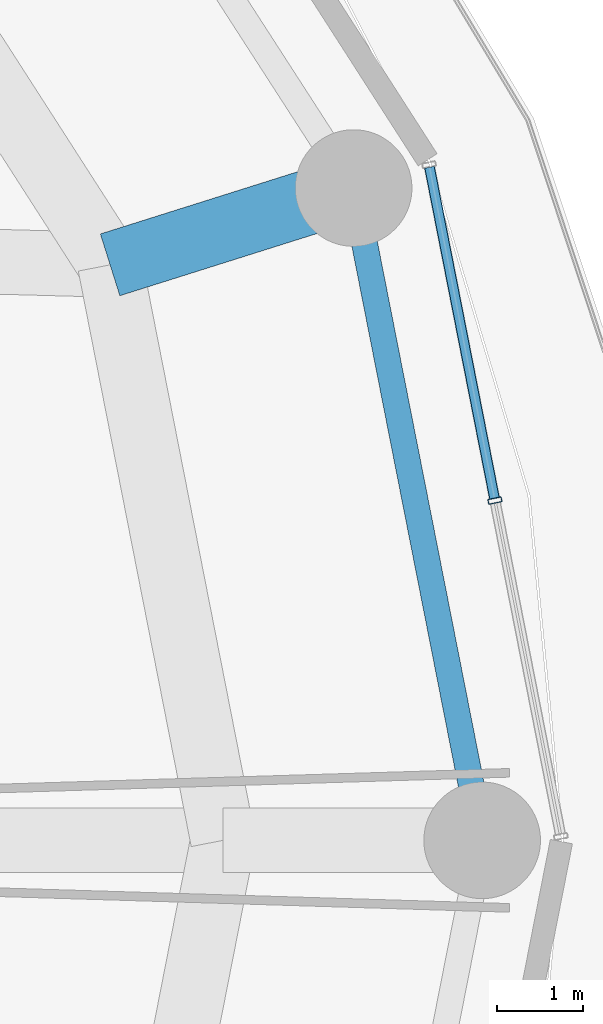
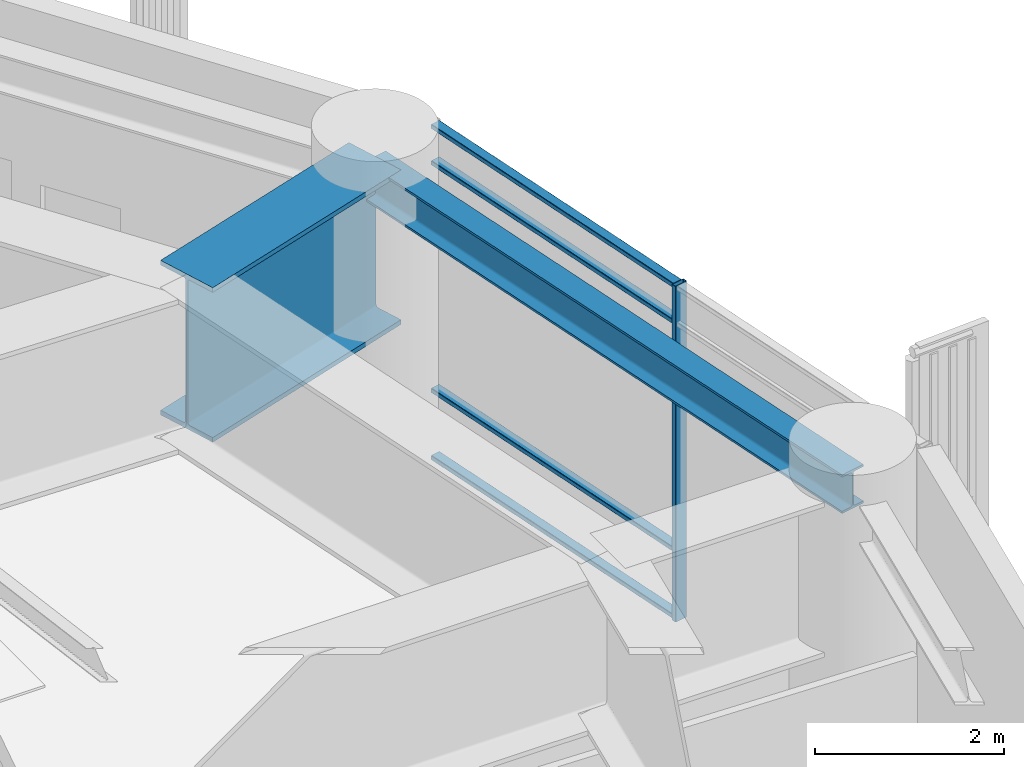
# One storey, part 15 of 34: 5 members, 2 beams, 1 element without a shape of its own.
"""IFC4 building model written with IfcOpenShell, lengths in metres."""

from ifc_helpers import new_model, si_unit, direction, frame, origin, origin_2d, place, context, subcontext, project, spatial, hollow_rectangle, i_section, extrude, material, layer, layer_set, material_profile, profile_set, type_object, element, aggregate, save


model = new_model("IFC4")

# Units and contexts
model_context = context("Model", 3, precision=1e-05, world=origin(), true_north=direction((0.0, 1.0)))
body_context = subcontext(model_context, "Body", "Model", "MODEL_VIEW")
ifc_project = project(units=[si_unit("LENGTHUNIT", "METRE"), si_unit("AREAUNIT", "SQUARE_METRE"), si_unit("VOLUMEUNIT", "CUBIC_METRE"), si_unit("PLANEANGLEUNIT", "RADIAN"), si_unit("MASSUNIT", "GRAM", prefix="KILO")], contexts=[model_context])

# Site, building, storey
site_placement = place(None, origin())
site = spatial("IfcSite", under=ifc_project, at=site_placement, CompositionType="ELEMENT")
building_placement = place(site_placement, origin())
building = spatial("IfcBuilding", under=site, at=building_placement, Name="Kelanora Arch Commons", CompositionType="ELEMENT")
storey_placement = place(building_placement, frame((0.0, 0.0, 125.10009765625)))
storey = spatial("IfcBuildingStorey", under=building, at=storey_placement, Name="L32", CompositionType="ELEMENT", Elevation=125.10009765625)

# Beams
ifc_material_1 = material(Name="Steel S355", Category="steel")
ifc_material_profile_1 = material_profile(ifc_material_1, i_section(OverallWidth=0.300048828125, OverallDepth=0.5, WebThickness=0.014404296875, FlangeThickness=0.028076171875, FilletRadius=0.027099609375, at=origin_2d()), Name="HEB500")
ifc_profile_set_1 = profile_set([ifc_material_profile_1], Name="Steel S355")
beam_type_1 = type_object("IfcBeamType", Name="BM-SPN-Z2", PredefinedType="SPANDREL", material=ifc_profile_set_1)
beam_1_placement = place(storey_placement, frame((98.679931640625, 58.0, 4.10986328125), z_axis=(-0.19335825777, 0.981128220037, 0.0), x_axis=(-0.981128220037, -0.19335825777, 0.0)))
element("IfcBeam", 1, at=beam_1_placement, inside=storey, type_object=beam_type_1, Name="Perimeter Spandrel Beam BS-00 L32", PredefinedType="SPANDREL", context=body_context, shape_type="SweptSolid", body=[
    extrude(i_section(OverallWidth=0.300048828125, OverallDepth=0.5, WebThickness=0.014404296875, FlangeThickness=0.028076171875, FilletRadius=0.027099609375, at=origin_2d()), origin(), (0.0, 0.0, 1.0), 7.697021484375),
])
ifc_material_profile_2 = material_profile(ifc_material_1, i_section(OverallWidth=0.75, OverallDepth=2.0, WebThickness=0.034912109375, FlangeThickness=0.06005859375, FilletRadius=0.028076171875, at=origin_2d()), Name="PG2000x750")
ifc_profile_set_2 = profile_set([ifc_material_profile_2], Name="Steel S355")
beam_type_2 = type_object("IfcBeamType", Name="BM-XFER-SET", PredefinedType="USERDEFINED", material=ifc_profile_set_2)
beam_2_placement = place(storey_placement, frame((94.37255859375, 64.66259765625, 3.35986328125), z_axis=(0.953687459381, 0.300799318184, 0.0), x_axis=(-0.300799318184, 0.953687459381, 0.0)))
element("IfcBeam", 2, at=beam_2_placement, inside=storey, type_object=beam_type_2, Name="Radial Floor Girder BR-02 L32", ObjectType="TRANSFER_GIRDER", PredefinedType="USERDEFINED", context=body_context, shape_type="SweptSolid", body=[
    extrude(i_section(OverallWidth=0.75, OverallDepth=2.0, WebThickness=0.034912109375, FlangeThickness=0.06005859375, FilletRadius=0.028076171875, at=origin_2d()), origin(), (0.0, 0.0, 1.0), 2.9560546875),
])

# Curtain wall, members
ifc_material_2 = material(Name="Terracotta ceramic-fritted low-E glass and aluminium", Category="masonry")
ifc_layer = layer(ifc_material_2, 0.159912109375)
ifc_layer_set = layer_set([ifc_layer], Name="Terracotta ceramic-fritted low-E glass and aluminium")
curtain_wall_type = type_object("IfcCurtainWallType", Name="CW-SYS-01", PredefinedType="NOTDEFINED", material=ifc_layer_set)
curtain_wall_placement = place(storey_placement, origin())
curtain_wall = element("IfcCurtainWall", 3, at=curtain_wall_placement, inside=storey, type_object=curtain_wall_type, Name="Unitised Curtain Wall L32-B00", PredefinedType="NOTDEFINED")
ifc_material_3 = material(Name="Powder-coated aluminium terracotta", Category="masonry")
ifc_material_profile_3 = material_profile(ifc_material_3, hollow_rectangle(XDim=0.159912109375, YDim=0.06005859375, WallThickness=0.0048828125, InnerFilletRadius=0.0048828125, OuterFilletRadius=0.010009765625, at=origin_2d()), Name="CWM160x60")
ifc_profile_set_3 = profile_set([ifc_material_profile_3], Name="Powder-coated aluminium terracotta")
member_type_1 = type_object("IfcMemberType", Name="CWM-STD", PredefinedType="MULLION", material=ifc_profile_set_3)
member_1_placement = place(storey_placement, frame((98.828125, 61.933349609375, 0.0), z_axis=(0.0, 0.0, 1.0), x_axis=(-0.981280311646, -0.192584916272, 0.0)))
member_1 = element("IfcMember", 4, at=member_1_placement, type_object=member_type_1, Name="CW-01 mullion 2", PredefinedType="MULLION", context=body_context, shape_type="SweptSolid", body=[
    extrude(hollow_rectangle(XDim=0.159912109375, YDim=0.06005859375, WallThickness=0.0048828125, InnerFilletRadius=0.0048828125, OuterFilletRadius=0.010009765625, at=origin_2d()), origin(), (0.0, 0.0, 1.0), 4.344970703125),
])
ifc_material_profile_4 = material_profile(ifc_material_3, hollow_rectangle(XDim=0.1201171875, YDim=0.06005859375, WallThickness=0.0048828125, InnerFilletRadius=0.0048828125, OuterFilletRadius=0.010009765625, at=origin_2d()), Name="CWT120x60")
ifc_profile_set_4 = profile_set([ifc_material_profile_4], Name="Powder-coated aluminium terracotta")
member_type_2 = type_object("IfcMemberType", Name="CWT-STD", PredefinedType="USERDEFINED", material=ifc_profile_set_4)
member_2_placement = place(storey_placement, frame((98.822265625, 61.962646484375, 0.02978515625), z_axis=(-0.192578614785, 0.981281548348, 0.0), x_axis=(-0.981281548348, -0.192578614785, 0.0)))
member_2 = element("IfcMember", 5, at=member_2_placement, type_object=member_type_2, Name="CW-01 transom 2.1", ObjectType="TRANSOM", PredefinedType="USERDEFINED", context=body_context, shape_type="SweptSolid", body=[
    extrude(hollow_rectangle(XDim=0.1201171875, YDim=0.06005859375, WallThickness=0.0048828125, InnerFilletRadius=0.0048828125, OuterFilletRadius=0.010009765625, at=origin_2d()), origin(), (0.0, 0.0, 1.0), 3.9033203125),
])
member_3_placement = place(storey_placement, frame((98.822265625, 61.962646484375, 0.89990234375), z_axis=(-0.192578614785, 0.981281548348, 0.0), x_axis=(-0.981281548348, -0.192578614785, 0.0)))
member_3 = element("IfcMember", 6, at=member_3_placement, type_object=member_type_2, Name="CW-01 transom 2.2", ObjectType="TRANSOM", PredefinedType="USERDEFINED", context=body_context, shape_type="SweptSolid", body=[
    extrude(hollow_rectangle(XDim=0.1201171875, YDim=0.06005859375, WallThickness=0.0048828125, InnerFilletRadius=0.0048828125, OuterFilletRadius=0.010009765625, at=origin_2d()), origin(), (0.0, 0.0, 1.0), 3.9033203125),
])
member_4_placement = place(storey_placement, frame((98.822265625, 61.962646484375, 3.844970703125), z_axis=(-0.192578614785, 0.981281548348, 0.0), x_axis=(-0.981281548348, -0.192578614785, 0.0)))
member_4 = element("IfcMember", 7, at=member_4_placement, type_object=member_type_2, Name="CW-01 transom 2.3", ObjectType="TRANSOM", PredefinedType="USERDEFINED", context=body_context, shape_type="SweptSolid", body=[
    extrude(hollow_rectangle(XDim=0.1201171875, YDim=0.06005859375, WallThickness=0.0048828125, InnerFilletRadius=0.0048828125, OuterFilletRadius=0.010009765625, at=origin_2d()), origin(), (0.0, 0.0, 1.0), 3.9033203125),
])
member_5_placement = place(storey_placement, frame((98.822265625, 61.962646484375, 4.31494140625), z_axis=(-0.192578614785, 0.981281548348, 0.0), x_axis=(-0.981281548348, -0.192578614785, 0.0)))
member_5 = element("IfcMember", 8, at=member_5_placement, type_object=member_type_2, Name="CW-01 transom 2.4", ObjectType="TRANSOM", PredefinedType="USERDEFINED", context=body_context, shape_type="SweptSolid", body=[
    extrude(hollow_rectangle(XDim=0.1201171875, YDim=0.06005859375, WallThickness=0.0048828125, InnerFilletRadius=0.0048828125, OuterFilletRadius=0.010009765625, at=origin_2d()), origin(), (0.0, 0.0, 1.0), 3.9033203125),
])
aggregate(curtain_wall, [member_1, member_2, member_3, member_4, member_5])

save(model, "model.ifc")
